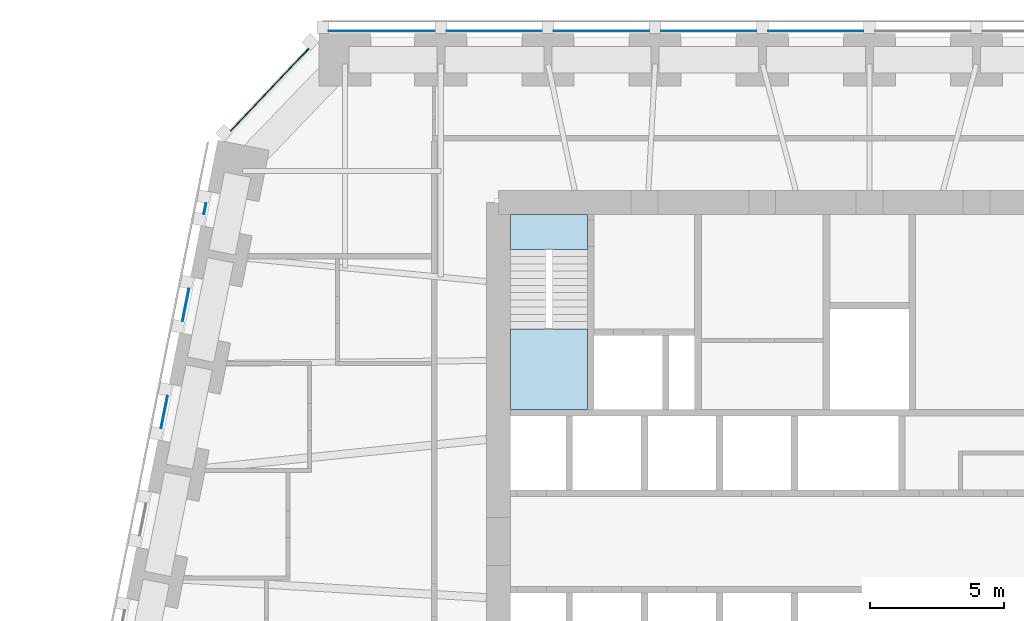
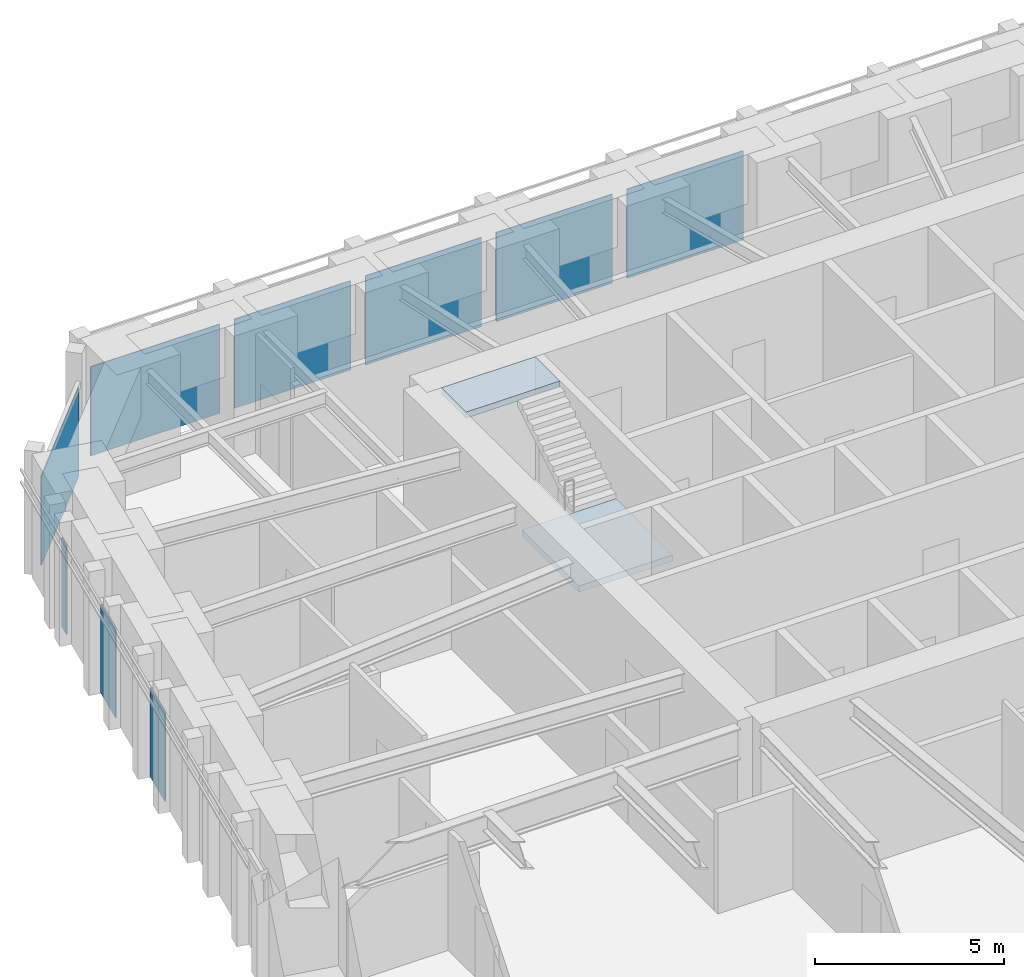
# One storey, part 10 of 17: 9 plates, 2 slabs, 6 elements without a shape of their own.
"""IFC4 building model written with IfcOpenShell, lengths in metres."""

from ifc_helpers import new_model, si_unit, direction, frame, origin, origin_2d, place, context, subcontext, project, spatial, polyline, rectangle, outline, extrude, material, layer, layer_set, type_object, element, aggregate, save


model = new_model("IFC4")

# Units and contexts
model_context = context("Model", 3, precision=1e-05, world=origin(), true_north=direction((0.0, 1.0)))
body_context = subcontext(model_context, "Body", "Model", "MODEL_VIEW")
ifc_project = project(units=[si_unit("LENGTHUNIT", "METRE"), si_unit("AREAUNIT", "SQUARE_METRE"), si_unit("VOLUMEUNIT", "CUBIC_METRE"), si_unit("PLANEANGLEUNIT", "RADIAN"), si_unit("MASSUNIT", "GRAM", prefix="KILO")], contexts=[model_context])

# Site, building, storey
site_placement = place(None, origin())
site = spatial("IfcSite", under=ifc_project, at=site_placement, CompositionType="ELEMENT")
building_placement = place(site_placement, origin())
building = spatial("IfcBuilding", under=site, at=building_placement, Name="Isbrekke Arena Tower", CompositionType="ELEMENT")
storey_placement = place(building_placement, frame((0.0, 0.0, 48.0)))
storey = spatial("IfcBuildingStorey", under=building, at=storey_placement, Name="L09", CompositionType="ELEMENT", Elevation=48.0)

# Curtain wall, plates
ifc_material_1 = material(Name="Glazed aluminium curtain wall", Category="aluminium")
curtain_wall_type = type_object("IfcCurtainWallType", Name="CWL TOWER CURTAIN WALL LOW ZONE", PredefinedType="USERDEFINED", material=ifc_material_1)
curtain_wall_1_placement = place(storey_placement, origin())
curtain_wall_1 = element("IfcCurtainWall", 1, at=curtain_wall_1_placement, inside=storey, type_object=curtain_wall_type, Name="CWL curtain wall L09-N", ObjectType="TOWER CURTAIN WALL LOW ZONE", PredefinedType="USERDEFINED")
ifc_material_2 = material(Name="Triple-glazed clear glass unit", Category="glass")
ifc_layer_1 = layer(ifc_material_2, 0.031982421875)
ifc_layer_set_1 = layer_set([ifc_layer_1], Name="CWL-P VISION PANEL")
plate_type = type_object("IfcPlateType", Name="CWL-P VISION PANEL", PredefinedType="CURTAIN_PANEL", material=ifc_layer_set_1)
plate_1_placement = place(storey_placement, frame((-2.0, 30.25, 0.02001953125), z_axis=(0.0, 0.0, 1.0), x_axis=(-1.0, 0.0, 0.0)))
plate_1 = element("IfcPlate", 2, at=plate_1_placement, type_object=plate_type, Name="CWL-P panel 6", PredefinedType="CURTAIN_PANEL", context=body_context, shape_type="SweptSolid", body=[
    extrude(rectangle(XDim=3.550048828125, YDim=0.031982421875, at=origin_2d()), origin(), (0.0, 0.0, 1.0), 2.8798828125),
])
plate_2_placement = place(storey_placement, frame((-6.0, 30.25, 0.02001953125), z_axis=(0.0, 0.0, 1.0), x_axis=(-1.0, 0.0, 0.0)))
plate_2 = element("IfcPlate", 3, at=plate_2_placement, type_object=plate_type, Name="CWL-P panel 7", PredefinedType="CURTAIN_PANEL", context=body_context, shape_type="SweptSolid", body=[
    extrude(rectangle(XDim=3.550048828125, YDim=0.031982421875, at=origin_2d()), origin(), (0.0, 0.0, 1.0), 2.8798828125),
])
plate_3_placement = place(storey_placement, frame((-10.0, 30.25, 0.02001953125), z_axis=(0.0, 0.0, 1.0), x_axis=(-1.0, 0.0, 0.0)))
plate_3 = element("IfcPlate", 4, at=plate_3_placement, type_object=plate_type, Name="CWL-P panel 8", PredefinedType="CURTAIN_PANEL", context=body_context, shape_type="SweptSolid", body=[
    extrude(rectangle(XDim=3.550048828125, YDim=0.031982421875, at=origin_2d()), origin(), (0.0, 0.0, 1.0), 2.8798828125),
])
plate_4_placement = place(storey_placement, frame((-14.0, 30.25, 0.02001953125), z_axis=(0.0, 0.0, 1.0), x_axis=(-1.0, 0.0, 0.0)))
plate_4 = element("IfcPlate", 5, at=plate_4_placement, type_object=plate_type, Name="CWL-P panel 9", PredefinedType="CURTAIN_PANEL", context=body_context, shape_type="SweptSolid", body=[
    extrude(rectangle(XDim=3.550048828125, YDim=0.031982421875, at=origin_2d()), origin(), (0.0, 0.0, 1.0), 2.8798828125),
])
plate_5_placement = place(storey_placement, frame((-18.199951171875, 30.25, 0.02001953125), z_axis=(0.0, 0.0, 1.0), x_axis=(-1.0, 0.0, 0.0)))
plate_5 = element("IfcPlate", 6, at=plate_5_placement, type_object=plate_type, Name="CWL-P panel 10", PredefinedType="CURTAIN_PANEL", context=body_context, shape_type="SweptSolid", body=[
    extrude(rectangle(XDim=3.949951171875, YDim=0.031982421875, at=origin_2d()), origin(), (0.0, 0.0, 1.0), 2.8798828125),
])
aggregate(curtain_wall_1, [plate_1, plate_2, plate_3, plate_4, plate_5])

# Curtain wall, plate
curtain_wall_2_placement = place(storey_placement, origin())
curtain_wall_2 = element("IfcCurtainWall", 7, at=curtain_wall_2_placement, inside=storey, type_object=curtain_wall_type, Name="CWL curtain wall L09-NW", ObjectType="TOWER CURTAIN WALL LOW ZONE", PredefinedType="USERDEFINED")
plate_6_placement = place(storey_placement, frame((-22.38623046875, 28.054443359375, 0.02001953125), z_axis=(0.0, 0.0, 1.0), x_axis=(-0.68874946192, -0.72499943359, 0.0)))
plate_6 = element("IfcPlate", 8, at=plate_6_placement, type_object=plate_type, Name="CWL-P panel 1", PredefinedType="CURTAIN_PANEL", context=body_context, shape_type="SweptSolid", body=[
    extrude(rectangle(XDim=4.22802734375, YDim=0.031982421875, at=origin_2d()), origin(), (0.0, 0.0, 1.0), 2.8798828125),
])
aggregate(curtain_wall_2, [plate_6])

curtain_wall_3_placement = place(storey_placement, origin())
curtain_wall_3 = element("IfcCurtainWall", 9, at=curtain_wall_3_placement, inside=storey, type_object=curtain_wall_type, Name="CWL curtain wall L09-W", ObjectType="TOWER CURTAIN WALL LOW ZONE", PredefinedType="USERDEFINED")
plate_7_placement = place(storey_placement, frame((-24.80322265625, 23.62109375, 0.02001953125), z_axis=(0.0, 0.0, 1.0), x_axis=(-0.196116135138, -0.980580675691, 0.0)))
plate_7 = element("IfcPlate", 10, at=plate_7_placement, type_object=plate_type, Name="CWL-P panel 1", PredefinedType="CURTAIN_PANEL", context=body_context, shape_type="SweptSolid", body=[
    extrude(rectangle(XDim=0.40625, YDim=0.031982421875, at=origin_2d()), origin(), (0.0, 0.0, 1.0), 2.8798828125),
])
aggregate(curtain_wall_3, [plate_7])

curtain_wall_4_placement = place(storey_placement, origin())
curtain_wall_4 = element("IfcCurtainWall", 11, at=curtain_wall_4_placement, inside=storey, type_object=curtain_wall_type, Name="CWL curtain wall L09-W3", ObjectType="TOWER CURTAIN WALL LOW ZONE", PredefinedType="USERDEFINED")
plate_8_placement = place(storey_placement, frame((-25.5224609375, 20.0244140625, 0.02001953125), z_axis=(0.0, 0.0, 1.0), x_axis=(-0.196116135138, -0.980580675691, 0.0)))
plate_8 = element("IfcPlate", 12, at=plate_8_placement, type_object=plate_type, Name="CWL-P panel 1", PredefinedType="CURTAIN_PANEL", context=body_context, shape_type="SweptSolid", body=[
    extrude(rectangle(XDim=1.229248046875, YDim=0.031982421875, at=origin_2d()), origin(), (0.0, 0.0, 1.0), 2.8798828125),
])
aggregate(curtain_wall_4, [plate_8])

curtain_wall_5_placement = place(storey_placement, origin())
curtain_wall_5 = element("IfcCurtainWall", 13, at=curtain_wall_5_placement, inside=storey, type_object=curtain_wall_type, Name="CWL curtain wall L09-W5", ObjectType="TOWER CURTAIN WALL LOW ZONE", PredefinedType="USERDEFINED")
plate_9_placement = place(storey_placement, frame((-26.322509765625, 16.0244140625, 0.02001953125), z_axis=(0.0, 0.0, 1.0), x_axis=(-0.196116135138, -0.980580675691, 0.0)))
plate_9 = element("IfcPlate", 14, at=plate_9_placement, type_object=plate_type, Name="CWL-P panel 1", PredefinedType="CURTAIN_PANEL", context=body_context, shape_type="SweptSolid", body=[
    extrude(rectangle(XDim=1.229248046875, YDim=0.031982421875, at=origin_2d()), origin(), (0.0, 0.0, 1.0), 2.8798828125),
])
aggregate(curtain_wall_5, [plate_9])

# Stair, slabs
ifc_material_3 = material(Name="Concrete B45 (C45/55) precast", Category="concrete")
stair_type = type_object("IfcStairType", Name="ST40 STAIR 1300 WIDE, 24 RISERS 167", PredefinedType="HALF_TURN_STAIR", material=ifc_material_3)
stair_placement = place(storey_placement, origin())
stair = element("IfcStair", 15, at=stair_placement, inside=storey, type_object=stair_type, Name="ST1 stair L09", PredefinedType="HALF_TURN_STAIR")
ifc_material_4 = material(Name="Concrete B35 (C35/45)", Category="concrete")
ifc_layer_2 = layer(ifc_material_4, 0.199951171875)
ifc_layer_set_2 = layer_set([ifc_layer_2], Name="SL1 STAIR LANDING 200")
slab_type = type_object("IfcSlabType", Name="SL1 STAIR LANDING 200", PredefinedType="LANDING", material=ifc_layer_set_2)
slab_1_placement = place(storey_placement, frame((0.0, 0.0, 1.800048828125)))
slab_1 = element("IfcSlab", 16, at=slab_1_placement, type_object=slab_type, Name="ST1 landing 1", PredefinedType="LANDING", context=body_context, shape_type="SweptSolid", body=[
    extrude(outline(polyline([(-13.39990234375, 16.125), (-10.52490234375, 16.125), (-10.52490234375, 19.1298828125), (-13.39990234375, 19.1298828125), (-13.39990234375, 16.125)])), origin(), (0.0, 0.0, 1.0), 0.199951171875),
])
slab_2_placement = place(storey_placement, frame((0.0, 0.0, 3.800048828125)))
slab_2 = element("IfcSlab", 17, at=slab_2_placement, type_object=slab_type, Name="ST1 landing 2", PredefinedType="LANDING", context=body_context, shape_type="SweptSolid", body=[
    extrude(outline(polyline([(-13.39990234375, 22.10009765625), (-10.52490234375, 22.10009765625), (-10.52490234375, 23.39990234375), (-13.39990234375, 23.39990234375), (-13.39990234375, 22.10009765625)])), origin(), (0.0, 0.0, 1.0), 0.199951171875),
])
aggregate(stair, [slab_1, slab_2])

save(model, "model.ifc")
